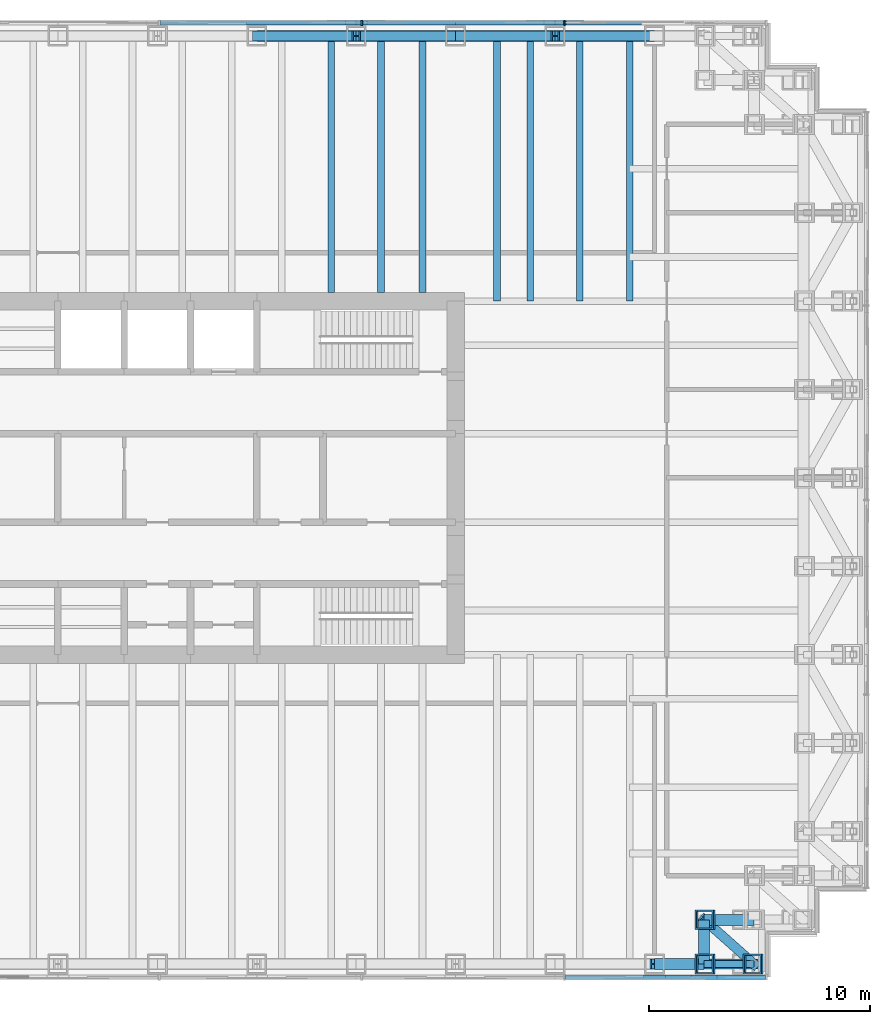
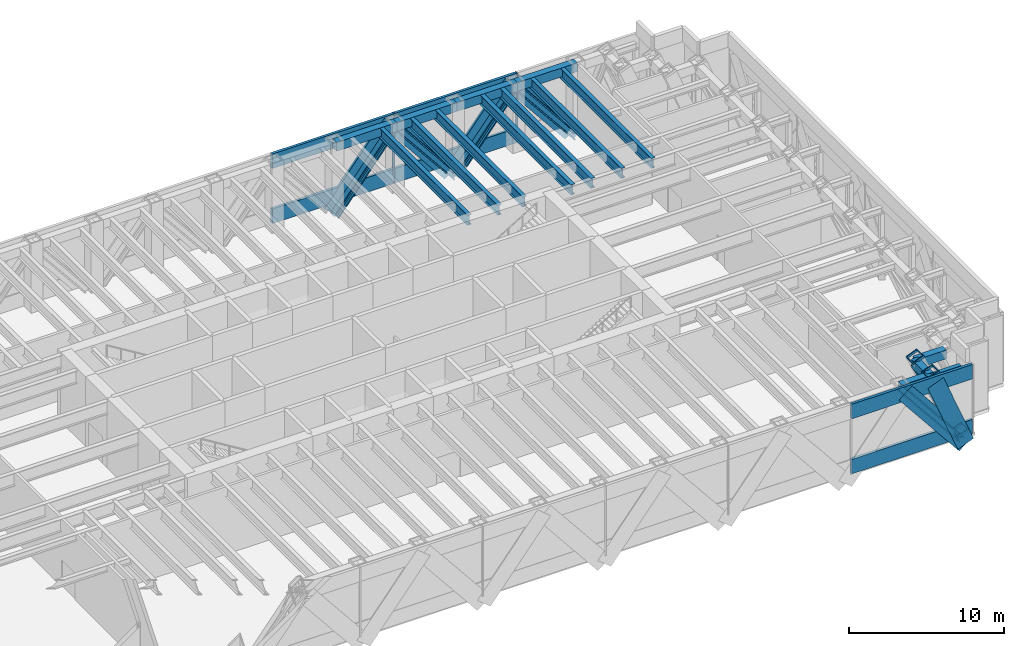
# One storey, part 6 of 17: 23 members, 15 beams, 2 elements without a shape of their own.
"""IFC4 building model written with IfcOpenShell, lengths in metres."""

from ifc_helpers import new_model, si_unit, direction, frame, origin, origin_2d, place, context, subcontext, project, spatial, rectangle, hollow_rectangle, i_section, extrude, material, material_profile, profile_set, type_object, element, aggregate, save


model = new_model("IFC4")

# Units and contexts
model_context = context("Model", 3, precision=1e-05, world=origin(), true_north=direction((0.0, 1.0)))
body_context = subcontext(model_context, "Body", "Model", "MODEL_VIEW")
ifc_project = project(units=[si_unit("LENGTHUNIT", "METRE"), si_unit("AREAUNIT", "SQUARE_METRE"), si_unit("VOLUMEUNIT", "CUBIC_METRE"), si_unit("PLANEANGLEUNIT", "RADIAN"), si_unit("MASSUNIT", "GRAM", prefix="KILO")], contexts=[model_context])

# Site, building, storey
site_placement = place(None, origin())
site = spatial("IfcSite", under=ifc_project, at=site_placement, CompositionType="ELEMENT")
building_placement = place(site_placement, origin())
building = spatial("IfcBuilding", under=site, at=building_placement, Name="Rheinbord Bourse Tower", CompositionType="ELEMENT")
storey_placement = place(building_placement, frame((0.0, 0.0, 265.60009765625)))
storey = spatial("IfcBuildingStorey", under=building, at=storey_placement, Name="L60", CompositionType="ELEMENT", Elevation=265.60009765625)

# Beams
ifc_material_1 = material(Name="Steel S460M", Category="steel")
ifc_material_profile_1 = material_profile(ifc_material_1, hollow_rectangle(XDim=0.5, YDim=0.699951171875, WallThickness=0.0400390625, at=origin_2d()), Name="BOX 700x500x40")
ifc_profile_set_1 = profile_set([ifc_material_profile_1], Name="Steel S460M")
beam_type_1 = type_object("IfcBeamType", Name="BELT CHORD BOX 700x500x40", PredefinedType="SPANDREL", material=ifc_profile_set_1)
beam_1_placement = place(storey_placement, frame((63.0, 2.0, 4.989990234375), z_axis=(1.0, 0.0, 0.0), x_axis=(0.0, 1.0, 0.0)))
element("IfcBeam", 1, at=beam_1_placement, inside=storey, type_object=beam_type_1, Name="Spandrel S-63-SE-E under L61", PredefinedType="SPANDREL", context=body_context, shape_type="SweptSolid", body=[
    extrude(hollow_rectangle(XDim=0.5, YDim=0.699951171875, WallThickness=0.0400390625, at=origin_2d()), origin(), (0.0, 0.0, 1.0), 2.25),
])
beam_2_placement = place(storey_placement, frame((65.25, 2.0, 4.989990234375), z_axis=(0.0, 1.0, 0.0), x_axis=(-1.0, 0.0, 0.0)))
element("IfcBeam", 2, at=beam_2_placement, inside=storey, type_object=beam_type_1, Name="Spandrel SE-E-SE-D under L61", PredefinedType="SPANDREL", context=body_context, shape_type="SweptSolid", body=[
    extrude(hollow_rectangle(XDim=0.5, YDim=0.699951171875, WallThickness=0.0400390625, at=origin_2d()), origin(), (0.0, 0.0, 1.0), 2.0),
])
beam_3_placement = place(storey_placement, frame((65.25, 4.0, 4.989990234375), z_axis=(1.0, 0.0, 0.0), x_axis=(0.0, 1.0, 0.0)))
element("IfcBeam", 3, at=beam_3_placement, inside=storey, type_object=beam_type_1, Name="Spandrel SE-D-SE-C under L61", PredefinedType="SPANDREL", context=body_context, shape_type="SweptSolid", body=[
    extrude(hollow_rectangle(XDim=0.5, YDim=0.699951171875, WallThickness=0.0400390625, at=origin_2d()), origin(), (0.0, 0.0, 1.0), 2.25),
])
for number, where, z_axis, x_axis, name in (
    (4, (63.0, 44.0, 4.989990234375), (-1.0, 0.0, 0.0), (0.0, -1.0, 0.0), "Spandrel N-63-N-58.5 under L61"),
    (5, (58.5, 44.0, 4.989990234375), (-1.0, 0.0, 0.0), (0.0, -1.0, 0.0), "Spandrel N-58.5-N-54 under L61"),
    (6, (54.0, 44.0, 4.989990234375), (-1.0, 0.0, 0.0), (0.0, -1.0, 0.0), "Spandrel N-54-N-49.5 under L61"),
    (7, (49.5, 44.0, 4.989990234375), (-1.0, 0.0, 0.0), (0.0, -1.0, 0.0), "Spandrel N-49.5-N-45 under L61"),
):
    element("IfcBeam", number, at=place(storey_placement, frame(where, z_axis=z_axis, x_axis=x_axis)), inside=storey, type_object=beam_type_1, Name=name, PredefinedType="SPANDREL", context=body_context, shape_type="SweptSolid", body=[
        extrude(hollow_rectangle(XDim=0.5, YDim=0.699951171875, WallThickness=0.0400390625, at=origin_2d()), origin(), (0.0, 0.0, 1.0), 4.5),
    ])

# Members
ifc_material_2 = material(Name="Steel S460", Category="steel")
ifc_material_profile_2 = material_profile(ifc_material_2, i_section(OverallWidth=0.431884765625, OverallDepth=0.498046875, WebThickness=0.0556640625, FlangeThickness=0.0888671875, at=origin_2d()), Name="HD 400x744")
ifc_profile_set_2 = profile_set([ifc_material_profile_2], Name="Steel S460")
member_type_1 = type_object("IfcMemberType", Name="BELT DIAGONAL HD 400x744", PredefinedType="STRUT", material=ifc_profile_set_2)
member_1_placement = place(storey_placement, frame((67.5, 2.0, -0.60009765625), z_axis=(-0.627065297878, 0.0, 0.778966695178), x_axis=(0.0, -1.0, 0.0)))
element("IfcMember", 8, at=member_1_placement, inside=storey, type_object=member_type_1, Name="Belt truss diagonal S-63-SE-E L60", PredefinedType="STRUT", context=body_context, shape_type="SweptSolid", body=[
    extrude(i_section(OverallWidth=0.431884765625, OverallDepth=0.498046875, WebThickness=0.0556640625, FlangeThickness=0.0888671875, at=origin_2d()), origin(), (0.0, 0.0, 1.0), 7.17626953125),
])
member_2_placement = place(storey_placement, frame((67.5, 2.0, -0.60009765625), z_axis=(-0.35437868618, 0.315003276604, 0.880448001026), x_axis=(-0.66436383883, -0.747409318684, 0.0)))
element("IfcMember", 9, at=member_2_placement, inside=storey, type_object=member_type_1, Name="Belt truss diagonal SE-E-SE-D L60", PredefinedType="STRUT", context=body_context, shape_type="SweptSolid", body=[
    extrude(i_section(OverallWidth=0.431884765625, OverallDepth=0.498046875, WebThickness=0.0556640625, FlangeThickness=0.0888671875, at=origin_2d()), origin(), (0.0, 0.0, 1.0), 6.34912109375),
])
for number, where, z_axis, x_axis, name in (
    (10, (63.0, 44.0, -0.60009765625), (-0.627065297878, 0.0, 0.778966695178), (0.0, -1.0, 0.0), "Belt truss diagonal N-63-N-58.5 L60"),
    (11, (54.0, 44.0, -0.60009765625), (0.627065297878, 0.0, 0.778966695178), (0.0, 1.0, 0.0), "Belt truss diagonal N-58.5-N-54 L60"),
    (12, (54.0, 44.0, -0.60009765625), (-0.627065297878, 0.0, 0.778966695178), (0.0, -1.0, 0.0), "Belt truss diagonal N-54-N-49.5 L60"),
    (13, (45.0, 44.0, -0.60009765625), (0.627065297878, 0.0, 0.778966695178), (0.0, 1.0, 0.0), "Belt truss diagonal N-49.5-N-45 L60"),
):
    element("IfcMember", number, at=place(storey_placement, frame(where, z_axis=z_axis, x_axis=x_axis)), inside=storey, type_object=member_type_1, Name=name, PredefinedType="STRUT", context=body_context, shape_type="SweptSolid", body=[
        extrude(i_section(OverallWidth=0.431884765625, OverallDepth=0.498046875, WebThickness=0.0556640625, FlangeThickness=0.0888671875, at=origin_2d()), origin(), (0.0, 0.0, 1.0), 7.17626953125),
    ])

# Curtain wall, members
ifc_material_3 = material(Name="Dark glass and black aluminium", Category="aluminium")
curtain_wall_type = type_object("IfcCurtainWallType", Name="CW5 DARK GLASS CURTAIN WALL", PredefinedType="USERDEFINED", material=ifc_material_3)
curtain_wall_1_placement = place(storey_placement, origin())
curtain_wall_1 = element("IfcCurtainWall", 14, at=curtain_wall_1_placement, inside=storey, type_object=curtain_wall_type, Name="Curtain wall CW5 S L60", ObjectType="UNITISED CURTAIN WALL", PredefinedType="USERDEFINED")
ifc_material_4 = material(Name="Black anodised aluminium", Category="aluminium")
ifc_material_profile_3 = material_profile(ifc_material_4, rectangle(XDim=0.199951171875, YDim=1.259033203125, at=origin_2d()), Name="CW5 DIAGONAL MULLION 1259x200")
ifc_profile_set_3 = profile_set([ifc_material_profile_3], Name="Black anodised aluminium")
member_type_2 = type_object("IfcMemberType", Name="CW5 BLACK DIAGONAL MULLION", PredefinedType="USERDEFINED", material=ifc_profile_set_3)
member_3_placement = place(storey_placement, frame((67.5, 1.39990234375, -0.60009765625), z_axis=(-0.627065297878, 0.0, 0.778966695178), x_axis=(0.0, -1.0, 0.0)))
member_3 = element("IfcMember", 15, at=member_3_placement, type_object=member_type_2, Name="CW5 diagonal mullion belt S-63", ObjectType="DIAGONAL MULLION", PredefinedType="USERDEFINED", context=body_context, shape_type="SweptSolid", body=[
    extrude(rectangle(XDim=0.199951171875, YDim=1.259033203125, at=origin_2d()), origin(), (0.0, 0.0, 1.0), 7.17626953125),
])
member_4_placement = place(storey_placement, frame((67.5, 1.39990234375, -0.60009765625), z_axis=(-0.37338763268, 0.0, 0.92767541509), x_axis=(0.0, -1.0, 0.0)))
member_4 = element("IfcMember", 16, at=member_4_placement, type_object=member_type_2, Name="CW5 diagonal mullion belt SE-E", ObjectType="DIAGONAL MULLION", PredefinedType="USERDEFINED", context=body_context, shape_type="SweptSolid", body=[
    extrude(rectangle(XDim=0.199951171875, YDim=1.259033203125, at=origin_2d()), origin(), (0.0, 0.0, 1.0), 6.02587890625),
])

curtain_wall_2_placement = place(storey_placement, origin())
curtain_wall_2 = element("IfcCurtainWall", 17, at=curtain_wall_2_placement, inside=storey, type_object=curtain_wall_type, Name="Curtain wall CW5 N L60", ObjectType="UNITISED CURTAIN WALL", PredefinedType="USERDEFINED")
member_5_placement = place(storey_placement, frame((63.0, 44.60009765625, -0.60009765625), z_axis=(-0.627065297878, 0.0, 0.778966695178), x_axis=(0.0, -1.0, 0.0)))
member_5 = element("IfcMember", 18, at=member_5_placement, type_object=member_type_2, Name="CW5 diagonal mullion belt N-63", ObjectType="DIAGONAL MULLION", PredefinedType="USERDEFINED", context=body_context, shape_type="SweptSolid", body=[
    extrude(rectangle(XDim=0.199951171875, YDim=1.259033203125, at=origin_2d()), origin(), (0.0, 0.0, 1.0), 7.17626953125),
])
member_6_placement = place(storey_placement, frame((54.0, 44.60009765625, -0.60009765625), z_axis=(0.627065297878, 0.0, 0.778966695178), x_axis=(0.0, 1.0, 0.0)))
member_6 = element("IfcMember", 19, at=member_6_placement, type_object=member_type_2, Name="CW5 diagonal mullion belt N-58.5", ObjectType="DIAGONAL MULLION", PredefinedType="USERDEFINED", context=body_context, shape_type="SweptSolid", body=[
    extrude(rectangle(XDim=0.199951171875, YDim=1.259033203125, at=origin_2d()), origin(), (0.0, 0.0, 1.0), 7.17626953125),
])
member_7_placement = place(storey_placement, frame((54.0, 44.60009765625, -0.60009765625), z_axis=(-0.627065297878, 0.0, 0.778966695178), x_axis=(0.0, -1.0, 0.0)))
member_7 = element("IfcMember", 20, at=member_7_placement, type_object=member_type_2, Name="CW5 diagonal mullion belt N-54", ObjectType="DIAGONAL MULLION", PredefinedType="USERDEFINED", context=body_context, shape_type="SweptSolid", body=[
    extrude(rectangle(XDim=0.199951171875, YDim=1.259033203125, at=origin_2d()), origin(), (0.0, 0.0, 1.0), 7.17626953125),
])
member_8_placement = place(storey_placement, frame((45.0, 44.60009765625, -0.60009765625), z_axis=(0.627065297878, 0.0, 0.778966695178), x_axis=(0.0, 1.0, 0.0)))
member_8 = element("IfcMember", 21, at=member_8_placement, type_object=member_type_2, Name="CW5 diagonal mullion belt N-49.5", ObjectType="DIAGONAL MULLION", PredefinedType="USERDEFINED", context=body_context, shape_type="SweptSolid", body=[
    extrude(rectangle(XDim=0.199951171875, YDim=1.259033203125, at=origin_2d()), origin(), (0.0, 0.0, 1.0), 7.17626953125),
])
ifc_material_5 = material(Name="Black anodised aluminium", Category="aluminium")
ifc_material_profile_4 = material_profile(ifc_material_5, rectangle(XDim=0.25, YDim=0.080078125, at=origin_2d()), Name="CW5 MULLION 80x250")
ifc_profile_set_4 = profile_set([ifc_material_profile_4], Name="Black anodised aluminium")
member_type_3 = type_object("IfcMemberType", Name="CW5 BLACK MULLION", PredefinedType="MULLION", material=ifc_profile_set_4)
member_9_placement = place(storey_placement, frame((58.928466796875, 44.60009765625, 0.0), z_axis=(0.0, 0.0, 1.0), x_axis=(0.0, -1.0, 0.0)))
member_9 = element("IfcMember", 22, at=member_9_placement, type_object=member_type_3, Name="CW5 mullion 2", PredefinedType="MULLION", context=body_context, shape_type="SweptSolid", body=[
    extrude(rectangle(XDim=0.25, YDim=0.080078125, at=origin_2d()), origin(), (0.0, 0.0, 1.0), 5.5),
])
member_10_placement = place(storey_placement, frame((49.757080078125, 44.60009765625, 0.0), z_axis=(0.0, 0.0, 1.0), x_axis=(0.0, -1.0, 0.0)))
member_10 = element("IfcMember", 23, at=member_10_placement, type_object=member_type_3, Name="CW5 mullion 3", PredefinedType="MULLION", context=body_context, shape_type="SweptSolid", body=[
    extrude(rectangle(XDim=0.25, YDim=0.080078125, at=origin_2d()), origin(), (0.0, 0.0, 1.0), 5.5),
])

# Member
ifc_material_6 = material(Name="Black anodised aluminium", Category="aluminium")
ifc_material_profile_5 = material_profile(ifc_material_6, rectangle(XDim=0.199951171875, YDim=1.14990234375, at=origin_2d()), Name="CW5 TRANSOM 1150x200")
ifc_profile_set_5 = profile_set([ifc_material_profile_5], Name="Black anodised aluminium")
member_type_4 = type_object("IfcMemberType", Name="CW5 BLACK TRANSOM", PredefinedType="USERDEFINED", material=ifc_profile_set_5)
member_11_placement = place(storey_placement, frame((58.968505859375, 1.39990234375, 0.574951171875), z_axis=(1.0, 0.0, 0.0), x_axis=(0.0, 1.0, 0.0)))
member_11 = element("IfcMember", 24, at=member_11_placement, type_object=member_type_4, Name="CW5 transom 7.1", ObjectType="TRANSOM", PredefinedType="USERDEFINED", context=body_context, shape_type="SweptSolid", body=[
    extrude(rectangle(XDim=0.199951171875, YDim=1.14990234375, at=origin_2d()), origin(), (0.0, 0.0, 1.0), 9.051513671875),
])

member_12_placement = place(storey_placement, frame((58.968505859375, 1.39990234375, 4.9248046875), z_axis=(1.0, 0.0, 0.0), x_axis=(0.0, 1.0, 0.0)))
member_12 = element("IfcMember", 25, at=member_12_placement, type_object=member_type_4, Name="CW5 transom 7.2", ObjectType="TRANSOM", PredefinedType="USERDEFINED", context=body_context, shape_type="SweptSolid", body=[
    extrude(rectangle(XDim=0.199951171875, YDim=1.14990234375, at=origin_2d()), origin(), (0.0, 0.0, 1.0), 9.051513671875),
])

aggregate(curtain_wall_1, [member_11, member_12, member_3, member_4])

member_13_placement = place(storey_placement, frame((58.888671875, 44.60009765625, 0.574951171875), z_axis=(-1.0, 0.0, 0.0), x_axis=(0.0, -1.0, 0.0)))
member_13 = element("IfcMember", 26, at=member_13_placement, type_object=member_type_4, Name="CW5 transom 2.1", ObjectType="TRANSOM", PredefinedType="USERDEFINED", context=body_context, shape_type="SweptSolid", body=[
    extrude(rectangle(XDim=0.199951171875, YDim=1.14990234375, at=origin_2d()), origin(), (0.0, 0.0, 1.0), 9.091552734375),
])

member_14_placement = place(storey_placement, frame((58.888671875, 44.60009765625, 4.9248046875), z_axis=(-1.0, 0.0, 0.0), x_axis=(0.0, -1.0, 0.0)))
member_14 = element("IfcMember", 27, at=member_14_placement, type_object=member_type_4, Name="CW5 transom 2.2", ObjectType="TRANSOM", PredefinedType="USERDEFINED", context=body_context, shape_type="SweptSolid", body=[
    extrude(rectangle(XDim=0.199951171875, YDim=1.14990234375, at=origin_2d()), origin(), (0.0, 0.0, 1.0), 9.091552734375),
])

member_15_placement = place(storey_placement, frame((49.717041015625, 44.60009765625, 0.574951171875), z_axis=(-1.0, 0.0, 0.0), x_axis=(0.0, -1.0, 0.0)))
member_15 = element("IfcMember", 28, at=member_15_placement, type_object=member_type_4, Name="CW5 transom 3.1", ObjectType="TRANSOM", PredefinedType="USERDEFINED", context=body_context, shape_type="SweptSolid", body=[
    extrude(rectangle(XDim=0.199951171875, YDim=1.14990234375, at=origin_2d()), origin(), (0.0, 0.0, 1.0), 9.09130859375),
])

member_16_placement = place(storey_placement, frame((49.717041015625, 44.60009765625, 4.9248046875), z_axis=(-1.0, 0.0, 0.0), x_axis=(0.0, -1.0, 0.0)))
member_16 = element("IfcMember", 29, at=member_16_placement, type_object=member_type_4, Name="CW5 transom 3.2", ObjectType="TRANSOM", PredefinedType="USERDEFINED", context=body_context, shape_type="SweptSolid", body=[
    extrude(rectangle(XDim=0.199951171875, YDim=1.14990234375, at=origin_2d()), origin(), (0.0, 0.0, 1.0), 9.09130859375),
])

aggregate(curtain_wall_2, [member_9, member_10, member_13, member_14, member_15, member_16, member_5, member_6, member_7, member_8])

# Beams
ifc_material_7 = material(Name="Steel S460", Category="steel")
ifc_material_profile_6 = material_profile(ifc_material_7, i_section(OverallWidth=0.300048828125, OverallDepth=0.800048828125, WebThickness=0.017578125, FlangeThickness=0.032958984375, at=origin_2d()), Name="HEB 800")
ifc_profile_set_6 = profile_set([ifc_material_profile_6], Name="Steel S460")
beam_type_2 = type_object("IfcBeamType", Name="FLOOR BEAM HEB 800", PredefinedType="BEAM", material=ifc_profile_set_6)
for number, where, z_axis, x_axis, name in (
    (30, (48.375, 44.0, 4.93994140625), (0.0, -1.0, 0.0), (1.0, 0.0, 0.0), "Floor beam N-45b L61"),
    (31, (50.625, 44.0, 4.93994140625), (0.0, -1.0, 0.0), (1.0, 0.0, 0.0), "Floor beam N-49.5a L61"),
    (32, (52.5, 44.0, 4.93994140625), (0.0, -1.0, 0.0), (1.0, 0.0, 0.0), "Floor beam N-49.5b L61"),
):
    element("IfcBeam", number, at=place(storey_placement, frame(where, z_axis=z_axis, x_axis=x_axis)), inside=storey, type_object=beam_type_2, Name=name, PredefinedType="BEAM", context=body_context, shape_type="SweptSolid", body=[
        extrude(i_section(OverallWidth=0.300048828125, OverallDepth=0.800048828125, WebThickness=0.017578125, FlangeThickness=0.032958984375, at=origin_2d()), origin(), (0.0, 0.0, 1.0), 11.60009765625),
    ])
for number, where, z_axis, x_axis, name in (
    (33, (55.875, 44.0, 4.93994140625), (0.0, -1.0, 0.0), (1.0, 0.0, 0.0), "Floor beam N-54a L61"),
    (34, (57.375, 44.0, 4.93994140625), (0.0, -1.0, 0.0), (1.0, 0.0, 0.0), "Floor beam N-54b L61"),
    (35, (59.625, 44.0, 4.93994140625), (0.0, -1.0, 0.0), (1.0, 0.0, 0.0), "Floor beam N-58.5a L61"),
    (36, (61.875, 44.0, 4.93994140625), (0.0, -1.0, 0.0), (1.0, 0.0, 0.0), "Floor beam N-58.5b L61"),
):
    element("IfcBeam", number, at=place(storey_placement, frame(where, z_axis=z_axis, x_axis=x_axis)), inside=storey, type_object=beam_type_2, Name=name, PredefinedType="BEAM", context=body_context, shape_type="SweptSolid", body=[
        extrude(i_section(OverallWidth=0.300048828125, OverallDepth=0.800048828125, WebThickness=0.017578125, FlangeThickness=0.032958984375, at=origin_2d()), origin(), (0.0, 0.0, 1.0), 12.0),
    ])

# Members
ifc_material_8 = material(Name="Steel S460M", Category="steel")
ifc_material_profile_7 = material_profile(ifc_material_8, hollow_rectangle(XDim=0.89990234375, YDim=0.89990234375, WallThickness=0.070068359375, at=origin_2d()), Name="BOX 900x900x70")
ifc_profile_set_7 = profile_set([ifc_material_profile_7], Name="Steel S460M")
member_type_5 = type_object("IfcMemberType", Name="RAKING NODE PIECE BOX 900x900x70", PredefinedType="USERDEFINED", material=ifc_profile_set_7)
for number, where, z_axis, x_axis, name in (
    (37, (67.5, 2.0, 0.0), (-0.378172633109, 0.0, 0.925735091464), (0.0, -1.0, 0.0), "Node piece SE-E L60 foot"),
    (38, (65.3203125, 2.0, 5.32763671875), (-0.37771344485, 0.0, 0.92592254189), (0.0, -1.0, 0.0), "Node piece SE-E L60 head"),
    (39, (65.3203125, 4.0, 5.32763671875), (-0.37771344485, 0.0, 0.92592254189), (0.0, -1.0, 0.0), "Node piece SE-D L60 head"),
):
    element("IfcMember", number, at=place(storey_placement, frame(where, z_axis=z_axis, x_axis=x_axis)), inside=storey, type_object=member_type_5, Name=name, ObjectType="NODE PIECE", PredefinedType="USERDEFINED", context=body_context, shape_type="SweptSolid", body=[
        extrude(hollow_rectangle(XDim=0.89990234375, YDim=0.89990234375, WallThickness=0.070068359375, at=origin_2d()), origin(), (0.0, 0.0, 1.0), 0.18603515625),
    ])

# Beam
ifc_material_9 = material(Name="Steel S460", Category="steel")
ifc_material_profile_8 = material_profile(ifc_material_9, i_section(OverallWidth=0.305908203125, OverallDepth=0.52392578125, WebThickness=0.02099609375, FlangeThickness=0.0400390625, at=origin_2d()), Name="HEM 500")
ifc_profile_set_8 = profile_set([ifc_material_profile_8], Name="Steel S460")
beam_type_3 = type_object("IfcBeamType", Name="SETBACK OUTLOOKER HEM 500", PredefinedType="BEAM", material=ifc_profile_set_8)
beam_4_placement = place(storey_placement, frame((65.25, 2.0, 4.98779296875), z_axis=(1.0, 0.0, 0.0), x_axis=(0.0, 1.0, 0.0)))
element("IfcBeam", 40, at=beam_4_placement, inside=storey, type_object=beam_type_3, Name="Setback outlooker SE-E L61", PredefinedType="BEAM", context=body_context, shape_type="SweptSolid", body=[
    extrude(i_section(OverallWidth=0.305908203125, OverallDepth=0.52392578125, WebThickness=0.02099609375, FlangeThickness=0.0400390625, at=origin_2d()), origin(), (0.0, 0.0, 1.0), 2.25),
])

save(model, "model.ifc")
